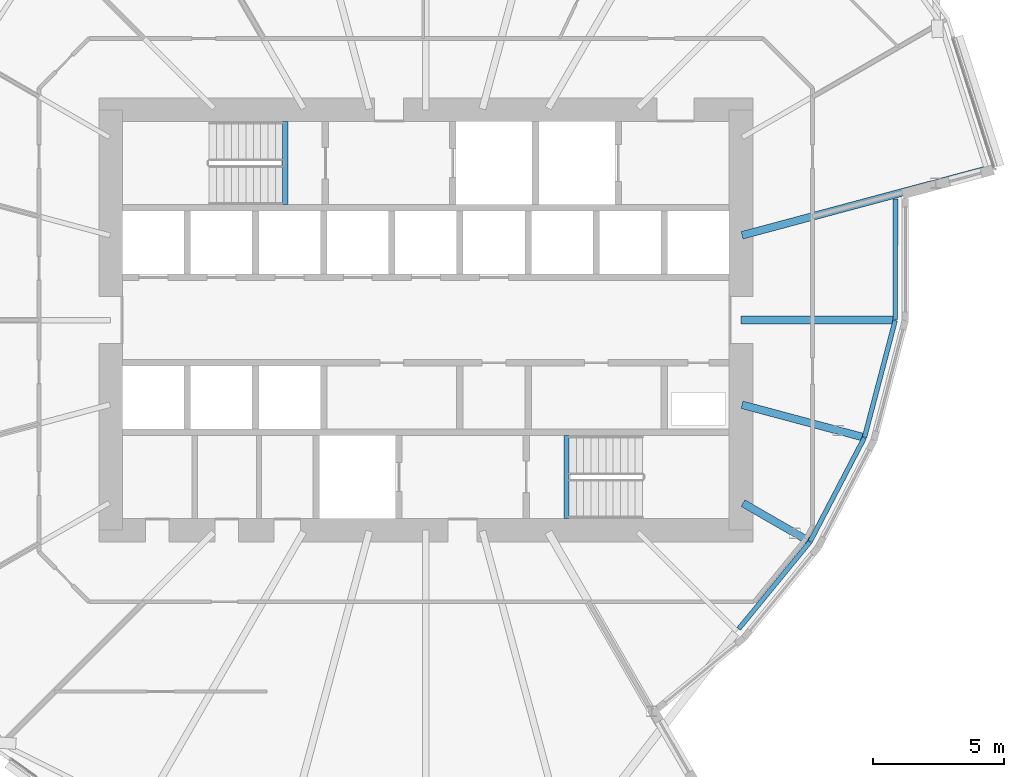
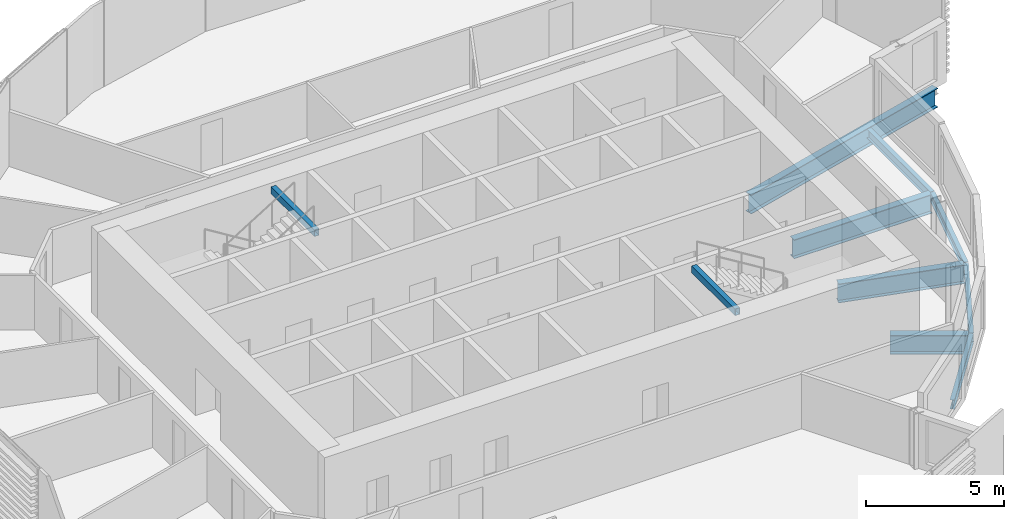
# One storey, part 15 of 37: 10 beams.
"""IFC4 building model written with IfcOpenShell, lengths in metres."""

from ifc_helpers import new_model, si_unit, direction, frame, origin, origin_2d, place, context, subcontext, project, spatial, hollow_rectangle, i_section, extrude, material, material_profile, profile_set, type_object, element, save


model = new_model("IFC4")

# Units and contexts
model_context = context("Model", 3, precision=1e-05, world=origin(), true_north=direction((0.0, 1.0)))
body_context = subcontext(model_context, "Body", "Model", "MODEL_VIEW")
ifc_project = project(units=[si_unit("LENGTHUNIT", "METRE"), si_unit("AREAUNIT", "SQUARE_METRE"), si_unit("VOLUMEUNIT", "CUBIC_METRE"), si_unit("PLANEANGLEUNIT", "RADIAN"), si_unit("MASSUNIT", "GRAM", prefix="KILO")], contexts=[model_context])

# Site, building, storey
site_placement = place(None, origin())
site = spatial("IfcSite", under=ifc_project, at=site_placement, CompositionType="ELEMENT")
building_placement = place(site_placement, origin())
building = spatial("IfcBuilding", under=site, at=building_placement, Name="Rimbun Link Towers", CompositionType="ELEMENT")
storey_placement = place(building_placement, frame((0.0, 0.0, 60.39990234375)))
storey = spatial("IfcBuildingStorey", under=building, at=storey_placement, Name="L14", CompositionType="ELEMENT", Elevation=60.39990234375)

# Beams
ifc_material_1 = material(Name="Steel S355J2", Category="steel")
ifc_material_profile_1 = material_profile(ifc_material_1, hollow_rectangle(XDim=0.199951171875, YDim=0.300048828125, WallThickness=0.011962890625, at=origin_2d()), Name="BOX 300x200x12")
ifc_profile_set_1 = profile_set([ifc_material_profile_1], Name="Steel S355J2")
beam_type_1 = type_object("IfcBeamType", Name="Stair trimmer beam BOX 300x200x12", PredefinedType="BEAM", material=ifc_profile_set_1)
for number, where, z_axis, x_axis, name in (
    (1, (26.39990234375, 7.550048828125, 3.489990234375), (0.0, -1.0, 0.0), (1.0, 0.0, 0.0), "L14 ST3 stair beam 1"),
    (2, (37.10009765625, -7.550048828125, 3.489990234375), (0.0, 1.0, 0.0), (-1.0, 0.0, 0.0), "L14 ST4 stair beam 1"),
):
    element("IfcBeam", number, at=place(storey_placement, frame(where, z_axis=z_axis, x_axis=x_axis)), inside=storey, type_object=beam_type_1, Name=name, PredefinedType="BEAM", context=body_context, shape_type="SweptSolid", body=[
        extrude(hollow_rectangle(XDim=0.199951171875, YDim=0.300048828125, WallThickness=0.011962890625, at=origin_2d()), origin(), (0.0, 0.0, 1.0), 3.150146484375),
    ])
ifc_material_2 = material(Name="Steel S355J2", Category="steel")
ifc_material_profile_2 = material_profile(ifc_material_2, i_section(OverallWidth=0.177978515625, OverallDepth=0.406494140625, WebThickness=0.0078125, FlangeThickness=0.0126953125, at=origin_2d()), Name="UB 406x178x60")
ifc_profile_set_2 = profile_set([ifc_material_profile_2], Name="Steel S355J2")
beam_type_2 = type_object("IfcBeamType", Name="UB 406x178x60", PredefinedType="BEAM", material=ifc_profile_set_2)
beam_1_placement = place(storey_placement, frame((43.6591796875, -11.760986328125, -0.363037109375), z_axis=(0.633399419063, 0.773825029274, 0.0), x_axis=(-0.773825029274, 0.633399419063, 0.0)))
element("IfcBeam", 3, at=beam_1_placement, inside=storey, type_object=beam_type_2, Name="Edge beam T2 L14 18 recess", PredefinedType="BEAM", context=body_context, shape_type="SweptSolid", body=[
    extrude(i_section(OverallWidth=0.177978515625, OverallDepth=0.406494140625, WebThickness=0.0078125, FlangeThickness=0.0126953125, at=origin_2d()), origin(), (0.0, 0.0, 1.0), 4.27685546875),
])
beam_2_placement = place(storey_placement, frame((46.37939453125, -8.4345703125, -0.363037109375), z_axis=(0.462768178353, 0.886479335971, 0.0), x_axis=(-0.886479335971, 0.462768178353, 0.0)))
element("IfcBeam", 4, at=beam_2_placement, inside=storey, type_object=beam_type_2, Name="Edge beam T2 L14 19 recess", PredefinedType="BEAM", context=body_context, shape_type="SweptSolid", body=[
    extrude(i_section(OverallWidth=0.177978515625, OverallDepth=0.406494140625, WebThickness=0.0078125, FlangeThickness=0.0126953125, at=origin_2d()), origin(), (0.0, 0.0, 1.0), 4.456787109375),
])
for number, where, z_axis, x_axis, name in (
    (5, (48.44970703125, -4.46337890625, -0.363037109375), (0.254038941627, 0.967193990954, 0.0), (-0.967193990954, 0.254038941627, 0.0), "Edge beam T2 L14 20 recess"),
    (6, (49.621826171875, 0.012451171875, -0.363037109375), (0.00190970953, 0.999998176503, 0.0), (-0.999998176503, 0.00190970953, 0.0), "Edge beam T2 L14 21 recess"),
):
    element("IfcBeam", number, at=place(storey_placement, frame(where, z_axis=z_axis, x_axis=x_axis)), inside=storey, type_object=beam_type_2, Name=name, PredefinedType="BEAM", context=body_context, shape_type="SweptSolid", body=[
        extrude(i_section(OverallWidth=0.177978515625, OverallDepth=0.406494140625, WebThickness=0.0078125, FlangeThickness=0.0126953125, at=origin_2d()), origin(), (0.0, 0.0, 1.0), 4.602294921875),
    ])
ifc_material_3 = material(Name="Steel S355J2", Category="steel")
ifc_material_profile_3 = material_profile(ifc_material_3, i_section(OverallWidth=0.29248046875, OverallDepth=0.8408203125, WebThickness=0.0126953125, FlangeThickness=0.021728515625, at=origin_2d()), Name="UB 838x292x194")
ifc_profile_set_3 = profile_set([ifc_material_profile_3], Name="Steel S355J2")
beam_type_3 = type_object("IfcBeamType", Name="UB 838x292x194", PredefinedType="BEAM", material=ifc_profile_set_3)
beam_3_placement = place(storey_placement, frame((43.823974609375, -6.970947265625, -0.580322265625), z_axis=(0.866040344649, -0.49997412077, 0.0), x_axis=(0.49997412077, 0.866040344649, 0.0)))
element("IfcBeam", 7, at=beam_3_placement, inside=storey, type_object=beam_type_3, Name="Radial beam T2 L14 19", PredefinedType="BEAM", context=body_context, shape_type="SweptSolid", body=[
    extrude(i_section(OverallWidth=0.29248046875, OverallDepth=0.8408203125, WebThickness=0.0126953125, FlangeThickness=0.021728515625, at=origin_2d()), origin(), (0.0, 0.0, 1.0), 2.855224609375),
])
beam_4_placement = place(storey_placement, frame((43.788818359375, -3.225830078125, -0.580322265625), z_axis=(0.965932852714, -0.258792820704, 0.0), x_axis=(0.258792820704, 0.965932852714, 0.0)))
element("IfcBeam", 8, at=beam_4_placement, inside=storey, type_object=beam_type_3, Name="Radial beam T2 L14 20", PredefinedType="BEAM", context=body_context, shape_type="SweptSolid", body=[
    extrude(i_section(OverallWidth=0.29248046875, OverallDepth=0.8408203125, WebThickness=0.0126953125, FlangeThickness=0.021728515625, at=origin_2d()), origin(), (0.0, 0.0, 1.0), 4.73193359375),
])
beam_5_placement = place(storey_placement, frame((43.7509765625, 0.0, -0.580322265625), z_axis=(1.0, 0.0, 0.0), x_axis=(0.0, 1.0, 0.0)))
element("IfcBeam", 9, at=beam_5_placement, inside=storey, type_object=beam_type_3, Name="Radial beam T2 L14 21", PredefinedType="BEAM", context=body_context, shape_type="SweptSolid", body=[
    extrude(i_section(OverallWidth=0.29248046875, OverallDepth=0.8408203125, WebThickness=0.0126953125, FlangeThickness=0.021728515625, at=origin_2d()), origin(), (0.0, 0.0, 1.0), 5.7802734375),
])
beam_6_placement = place(storey_placement, frame((43.788818359375, 3.225830078125, -0.580322265625), z_axis=(0.965928216399, 0.258810124927, 0.0), x_axis=(-0.258810124927, 0.965928216399, 0.0)))
element("IfcBeam", 10, at=beam_6_placement, inside=storey, type_object=beam_type_3, Name="Radial beam T2 L14 22", PredefinedType="BEAM", context=body_context, shape_type="SweptSolid", body=[
    extrude(i_section(OverallWidth=0.29248046875, OverallDepth=0.8408203125, WebThickness=0.0126953125, FlangeThickness=0.021728515625, at=origin_2d()), origin(), (0.0, 0.0, 1.0), 9.5595703125),
])

save(model, "model.ifc")
